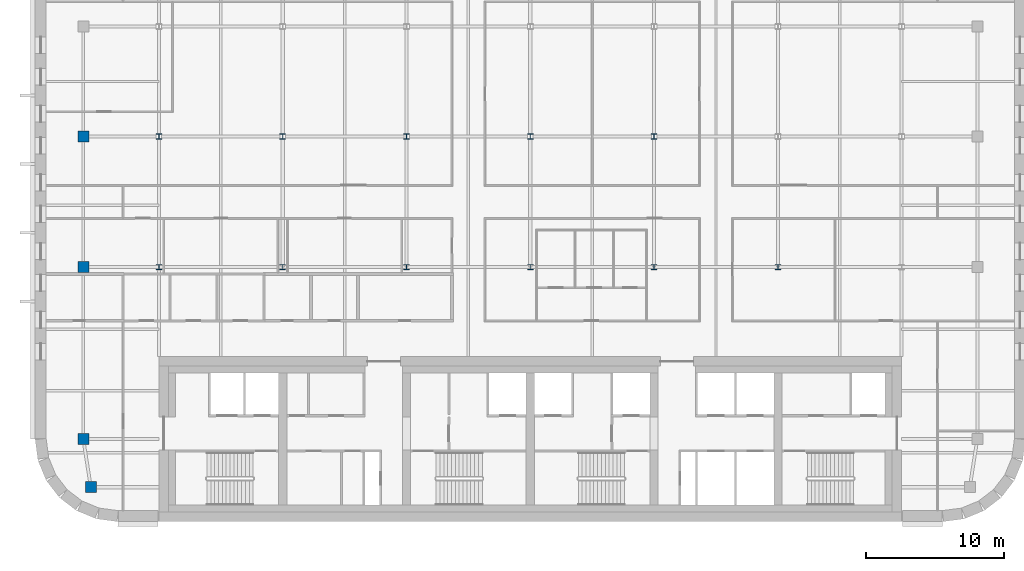
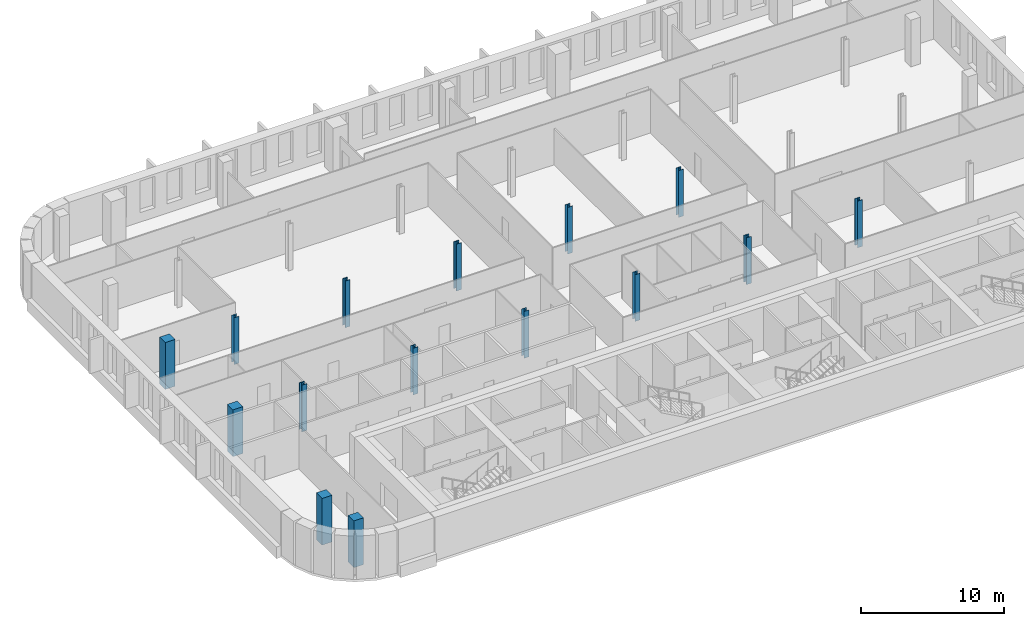
# One storey, part 1 of 15: 15 columns.
"""IFC4 building model written with IfcOpenShell, lengths in metres."""

from ifc_helpers import new_model, si_unit, direction, frame, origin, origin_2d, place, context, subcontext, project, spatial, rectangle, i_section, extrude, material, material_profile, profile_set, type_object, element, save


model = new_model("IFC4")

# Units and contexts
model_context = context("Model", 3, precision=1e-05, world=origin(), true_north=direction((0.0, 1.0)))
body_context = subcontext(model_context, "Body", "Model", "MODEL_VIEW")
ifc_project = project(units=[si_unit("LENGTHUNIT", "METRE"), si_unit("AREAUNIT", "SQUARE_METRE"), si_unit("VOLUMEUNIT", "CUBIC_METRE"), si_unit("PLANEANGLEUNIT", "RADIAN"), si_unit("MASSUNIT", "GRAM", prefix="KILO")], contexts=[model_context])

# Site, building, storey
site_placement = place(None, origin())
site = spatial("IfcSite", under=ifc_project, at=site_placement, CompositionType="ELEMENT")
building_placement = place(site_placement, origin())
building = spatial("IfcBuilding", under=site, at=building_placement, Name="Zellij Exchange Tower", CompositionType="ELEMENT")
storey_placement = place(building_placement, frame((0.0, 0.0, 260.5)))
storey = spatial("IfcBuildingStorey", under=building, at=storey_placement, Name="L61", CompositionType="ELEMENT", Elevation=260.5)

# Columns
ifc_material_1 = material(Name="Concrete C50/60", Category="concrete")
ifc_material_profile_1 = material_profile(ifc_material_1, rectangle(XDim=0.800048828125, YDim=0.800048828125, at=origin_2d()), Name="STR-COLUMN RC800x800 C50/60")
ifc_profile_set_1 = profile_set([ifc_material_profile_1], Name="Concrete C50/60")
column_type_1 = type_object("IfcColumnType", Name="STR-COLUMN RC800x800 C50/60", PredefinedType="COLUMN", material=ifc_profile_set_1)
for number, where, z_axis, x_axis, name in (
    (1, (-31.949951171875, -11.5, 0.0), (0.0, 0.0, 1.0), (1.0, 0.0, 0.0), "C15"),
    (2, (-32.5, -8.0, 0.0), (0.0, 0.0, 1.0), (1.0, 0.0, 0.0), "C15"),
    (3, (-32.5, 4.5, 0.0), (0.0, 0.0, 1.0), (1.0, 0.0, 0.0), "C15"),
    (4, (-32.5, 14.0, 0.0), (0.0, 0.0, 1.0), (1.0, 0.0, 0.0), "C15"),
):
    element("IfcColumn", number, at=place(storey_placement, frame(where, z_axis=z_axis, x_axis=x_axis)), inside=storey, type_object=column_type_1, Name=name, PredefinedType="COLUMN", context=body_context, shape_type="SweptSolid", body=[
        extrude(rectangle(XDim=0.800048828125, YDim=0.800048828125, at=origin_2d()), origin(), (0.0, 0.0, 1.0), 4.0),
    ])
ifc_material_2 = material(Name="Structural steel ASTM A992 Gr 50", Category="steel")
ifc_material_profile_2 = material_profile(ifc_material_2, i_section(OverallWidth=0.398681640625, OverallDepth=0.385986328125, WebThickness=0.02099609375, FlangeThickness=0.033203125, at=origin_2d()), Name="W14x176")
ifc_profile_set_2 = profile_set([ifc_material_profile_2], Name="Structural steel ASTM A992 Gr 50")
column_type_2 = type_object("IfcColumnType", Name="STR-COLUMN W14x176", PredefinedType="COLUMN", material=ifc_profile_set_2)
for number, where, z_axis, x_axis, name in (
    (5, (-27.0, 4.5, 0.0), (0.0, 0.0, 1.0), (1.0, 0.0, 0.0), "C2"),
    (6, (-18.0, 4.5, 0.0), (0.0, 0.0, 1.0), (1.0, 0.0, 0.0), "C2"),
    (7, (-9.0, 4.5, 0.0), (0.0, 0.0, 1.0), (1.0, 0.0, 0.0), "C2"),
    (8, (0.0, 4.5, 0.0), (0.0, 0.0, 1.0), (1.0, 0.0, 0.0), "C2"),
    (9, (9.0, 4.5, 0.0), (0.0, 0.0, 1.0), (1.0, 0.0, 0.0), "C2"),
    (10, (18.0, 4.5, 0.0), (0.0, 0.0, 1.0), (1.0, 0.0, 0.0), "C2"),
    (11, (-27.0, 14.0, 0.0), (0.0, 0.0, 1.0), (1.0, 0.0, 0.0), "C2"),
    (12, (-18.0, 14.0, 0.0), (0.0, 0.0, 1.0), (1.0, 0.0, 0.0), "C2"),
    (13, (-9.0, 14.0, 0.0), (0.0, 0.0, 1.0), (1.0, 0.0, 0.0), "C2"),
    (14, (0.0, 14.0, 0.0), (0.0, 0.0, 1.0), (1.0, 0.0, 0.0), "C2"),
    (15, (9.0, 14.0, 0.0), (0.0, 0.0, 1.0), (1.0, 0.0, 0.0), "C2"),
):
    element("IfcColumn", number, at=place(storey_placement, frame(where, z_axis=z_axis, x_axis=x_axis)), inside=storey, type_object=column_type_2, Name=name, PredefinedType="COLUMN", context=body_context, shape_type="SweptSolid", body=[
        extrude(i_section(OverallWidth=0.398681640625, OverallDepth=0.385986328125, WebThickness=0.02099609375, FlangeThickness=0.033203125, at=origin_2d()), origin(), (0.0, 0.0, 1.0), 4.0),
    ])

save(model, "model.ifc")
